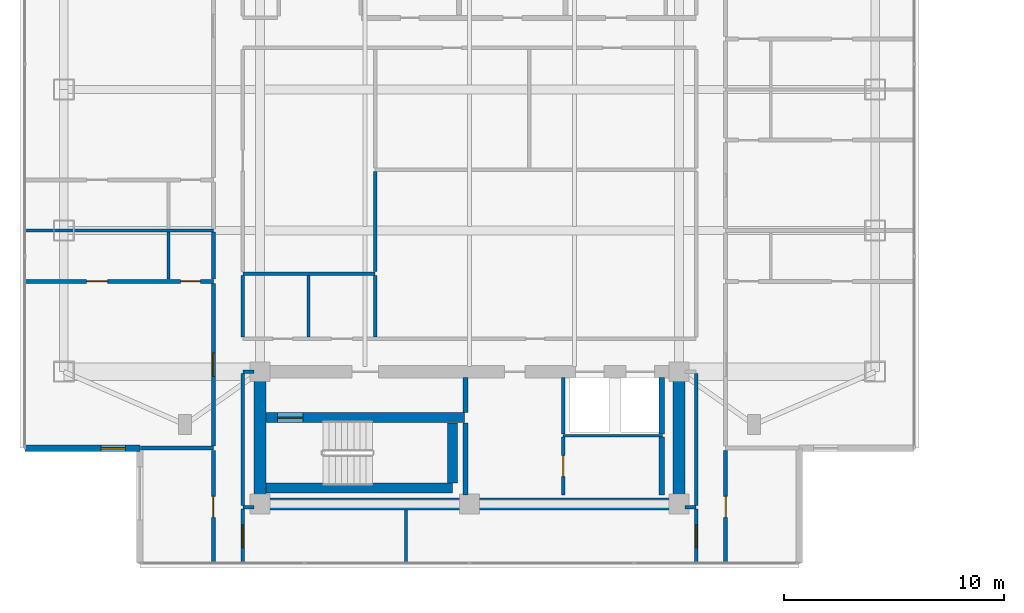
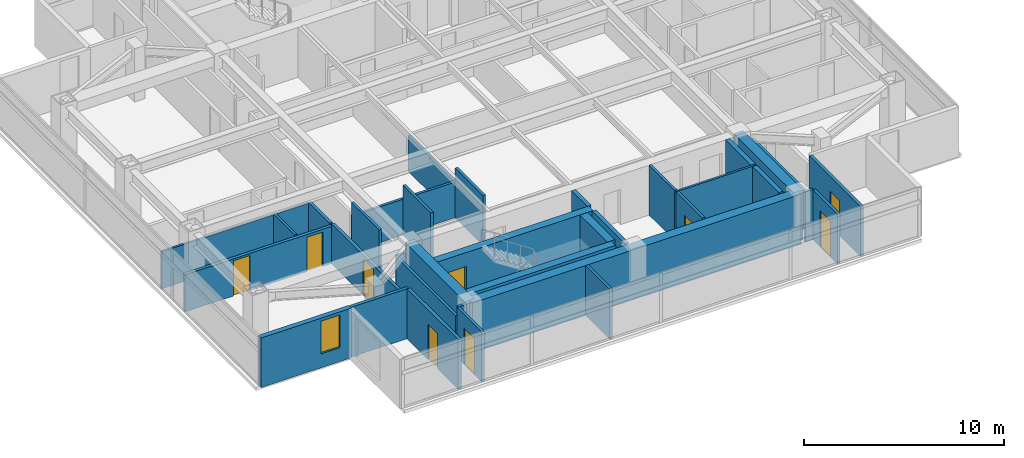
# One storey, part 12 of 24: 35 walls, 9 doors, 1 window, 10 openings.
"""IFC4 building model written with IfcOpenShell, lengths in metres."""

from ifc_helpers import new_model, si_unit, direction, frame, frame_2d, origin, place, context, subcontext, project, spatial, rectangle, extrude, material, layer, layer_set, type_object, element, fill, save


model = new_model("IFC4")

# Units and contexts
model_context = context("Model", 3, precision=1e-05, world=origin(), true_north=direction((0.0, 1.0)))
body_context = subcontext(model_context, "Body", "Model", "MODEL_VIEW")
ifc_project = project(units=[si_unit("LENGTHUNIT", "METRE"), si_unit("AREAUNIT", "SQUARE_METRE"), si_unit("VOLUMEUNIT", "CUBIC_METRE"), si_unit("PLANEANGLEUNIT", "RADIAN"), si_unit("MASSUNIT", "GRAM", prefix="KILO")], contexts=[model_context])

# Site, building, storey
site_placement = place(None, origin())
site = spatial("IfcSite", under=ifc_project, at=site_placement, CompositionType="ELEMENT")
building_placement = place(site_placement, origin())
building = spatial("IfcBuilding", under=site, at=building_placement, Name="Mirazonda Arch Towers", CompositionType="ELEMENT")
storey_placement = place(building_placement, frame((0.0, 0.0, 193.39990234375)))
storey = spatial("IfcBuildingStorey", under=building, at=storey_placement, Name="L55", CompositionType="ELEMENT", Elevation=193.39990234375)

# Wall
ifc_material_1 = material(Name="Concrete C50/60", Category="concrete")
ifc_layer_1 = layer(ifc_material_1, 0.449951171875, Name="WALL-CORE-450")
ifc_layer_set_1 = layer_set([ifc_layer_1], Name="Concrete C50/60")
wall_type_1 = type_object("IfcWallType", Name="WALL-CORE-450", PredefinedType="SHEAR", material=ifc_layer_set_1)
wall_1_placement = place(storey_placement, frame((11.27001953125, 13.1201171875, 0.0), z_axis=(0.0, 0.0, 1.0), x_axis=(1.0, 0.0, 0.0)))
element("IfcWall", 1, at=wall_1_placement, inside=storey, type_object=wall_type_1, Name="L55 Stair Core Shear Wall 003", PredefinedType="SHEAR", context=body_context, shape_type="SweptSolid", body=[
    extrude(rectangle(XDim=8.4599609375, YDim=0.449951171875, at=frame_2d((4.22998046875, 0.0))), origin(), (0.0, 0.0, 1.0), 3.050048828125),
])

# Wall, opening, door
wall_2_placement = place(storey_placement, frame((11.27001953125, 16.320068359375, 0.0), z_axis=(0.0, 0.0, 1.0), x_axis=(1.0, 0.0, 0.0)))
wall_2 = element("IfcWall", 2, at=wall_2_placement, inside=storey, type_object=wall_type_1, Name="L55 Stair Core Shear Wall 007", PredefinedType="SHEAR", context=body_context, shape_type="SweptSolid", body=[
    extrude(rectangle(XDim=9.010009765625, YDim=0.449951171875, at=frame_2d((4.5048828125, 0.0))), origin(), (0.0, 0.0, 1.0), 3.050048828125),
])
opening_1_placement = place(wall_2_placement, frame((0.52001953125, 0.0, 0.0)))
opening_1 = element("IfcOpeningElement", 3, at=opening_1_placement, cuts=wall_2, Name="Opening DR-135", PredefinedType="OPENING", context=body_context, shape_type="SweptSolid", body=[
    extrude(rectangle(XDim=1.14990234375, YDim=2.199951171875, at=frame_2d((0.574951171875, 1.10009765625))), frame((0.0, 0.23486328125, 0.0), z_axis=(0.0, -1.0, 0.0), x_axis=(1.0, 0.0, 0.0)), (0.0, 0.0, 1.0), 0.469970703125),
])
ifc_material_2 = material(Name="Architectural Brushed Steel S355", Category="steel")
door_type_1 = type_object("IfcDoorType", Name="DOOR-STAIR-FD90-1150", OperationType="NOTDEFINED", PredefinedType="DOOR", material=ifc_material_2)
door_1_placement = place(opening_1_placement, origin())
door_1 = element("IfcDoor", 4, at=door_1_placement, inside=storey, type_object=door_type_1, Name="L55 Protected Exit Stair South Door", OperationType="SINGLE_SWING_LEFT", OverallHeight=2.199951171875, OverallWidth=1.14990234375, PredefinedType="DOOR", context=body_context, shape_type="SweptSolid", body=[
    extrude(rectangle(XDim=1.14990234375, YDim=2.199951171875, at=frame_2d((0.574951171875, 1.10009765625))), frame((0.0, 0.02490234375, 0.0), z_axis=(0.0, -1.0, 0.0), x_axis=(1.0, 0.0, 0.0)), (0.0, 0.0, 1.0), 0.050048828125),
])
fill(opening_1, door_1)

# Walls
wall_3_placement = place(storey_placement, frame((19.72998046875, 13.35498046875, 0.0), z_axis=(0.0, 0.0, 1.0), x_axis=(0.0, 1.0, 0.0)))
element("IfcWall", 5, at=wall_3_placement, inside=storey, type_object=wall_type_1, Name="L55 Stair Core Shear Wall 079", PredefinedType="SHEAR", context=body_context, shape_type="SweptSolid", body=[
    extrude(rectangle(XDim=2.72998046875, YDim=0.449951171875, at=frame_2d((1.364990234375, 0.0))), origin(), (0.0, 0.0, 1.0), 3.050048828125),
])
ifc_layer_2 = layer(ifc_material_1, 0.550048828125, Name="WALL-CORE-550")
ifc_layer_set_2 = layer_set([ifc_layer_2], Name="Concrete C50/60")
wall_type_2 = type_object("IfcWallType", Name="WALL-CORE-550", PredefinedType="SHEAR", material=ifc_layer_set_2)
wall_4_placement = place(storey_placement, frame((11.0, 12.39990234375, 0.0), z_axis=(0.0, 0.0, 1.0), x_axis=(1.0, 0.0, 0.0)))
element("IfcWall", 6, at=wall_4_placement, inside=storey, type_object=wall_type_2, Name="L55 T1S-S Core Shear Wall", PredefinedType="SHEAR", context=body_context, shape_type="SweptSolid", body=[
    extrude(rectangle(XDim=19.0, YDim=0.550048828125, at=frame_2d((9.5, 0.0))), origin(), (0.0, 0.0, 1.0), 3.050048828125),
])
for number, where, z_axis, x_axis, name in (
    (7, (11.0, 12.39990234375, 0.0), (0.0, 0.0, 1.0), (0.0, 1.0, 0.0), "L55 T1S-W Core Shear Wall"),
    (8, (30.0, 12.39990234375, 0.0), (0.0, 0.0, 1.0), (0.0, 1.0, 0.0), "L55 T1S-E Core Shear Wall"),
):
    element("IfcWall", number, at=place(storey_placement, frame(where, z_axis=z_axis, x_axis=x_axis)), inside=storey, type_object=wall_type_2, Name=name, PredefinedType="SHEAR", context=body_context, shape_type="SweptSolid", body=[
        extrude(rectangle(XDim=6.0, YDim=0.550048828125, at=frame_2d((3.0, 0.0))), origin(), (0.0, 0.0, 1.0), 3.050048828125),
    ])

# Wall, opening, window
ifc_material_3 = material(Name="Precast Concrete C40/50", Category="concrete")
ifc_layer_3 = layer(ifc_material_3, 0.280029296875, Name="WALL-EXT-WALL-280")
ifc_layer_set_3 = layer_set([ifc_layer_3], Name="Precast Concrete C40/50")
wall_type_3 = type_object("IfcWallType", Name="WALL-EXT-WALL-280", PredefinedType="SOLIDWALL", material=ifc_layer_set_3)
wall_5_placement = place(storey_placement, frame((0.330078125, 14.930908203125, 0.0), z_axis=(0.0, 0.0, 1.0), x_axis=(1.0, 0.0, 0.0)))
wall_5 = element("IfcWall", 9, at=wall_5_placement, inside=storey, type_object=wall_type_3, Name="L55 T1 Corner Notch Return Wall WL-L55-T1-CSW2", PredefinedType="SOLIDWALL", context=body_context, shape_type="SweptSolid", body=[
    extrude(rectangle(XDim=5.21484375, YDim=0.280029296875, at=frame_2d((2.607421875, 0.0))), origin(), (0.0, 0.0, 1.0), 3.030029296875),
])
opening_2_placement = place(wall_5_placement, frame((3.465087890625, 0.0, 0.85009765625)))
opening_2 = element("IfcOpeningElement", 10, at=opening_2_placement, cuts=wall_5, Name="Opening WN-108", PredefinedType="OPENING", context=body_context, shape_type="SweptSolid", body=[
    extrude(rectangle(XDim=1.10009765625, YDim=2.0, at=frame_2d((0.550048828125, 1.0))), frame((0.0, 0.14990234375, 0.0), z_axis=(0.0, -1.0, 0.0), x_axis=(1.0, 0.0, 0.0)), (0.0, 0.0, 1.0), 0.300048828125),
])
ifc_material_4 = material(Name="Insulated Low-E Solar Glass", Category="glass")
window_type = type_object("IfcWindowType", Name="WIN-NOTCH-1100x2000", PartitioningType="SINGLE_PANEL", PredefinedType="WINDOW", material=ifc_material_4)
window_placement = place(opening_2_placement, origin())
window = element("IfcWindow", 11, at=window_placement, inside=storey, type_object=window_type, Name="L55 Punched Facade Window WN-L55-T1-CSW2", OverallHeight=2.0, OverallWidth=1.10009765625, PartitioningType="SINGLE_PANEL", PredefinedType="WINDOW", context=body_context, shape_type="SweptSolid", body=[
    extrude(rectangle(XDim=1.10009765625, YDim=2.0, at=frame_2d((0.550048828125, 1.0))), frame((0.0, 0.030029296875, 0.0), z_axis=(0.0, -1.0, 0.0), x_axis=(1.0, 0.0, 0.0)), (0.0, 0.0, 1.0), 0.06005859375),
])
fill(opening_2, window)

# Walls
ifc_material_5 = material(Name="Concrete C40/50", Category="concrete")
ifc_layer_4 = layer(ifc_material_5, 0.219970703125, Name="WALL-FFL-220")
ifc_layer_set_4 = layer_set([ifc_layer_4], Name="Concrete C40/50")
wall_type_4 = type_object("IfcWallType", Name="WALL-FFL-220", PredefinedType="SOLIDWALL", material=ifc_layer_set_4)
wall_6_placement = place(storey_placement, frame((20.31494140625, 12.800048828125, 0.0), z_axis=(0.0, 0.0, 1.0), x_axis=(0.0, 1.0, 0.0)))
element("IfcWall", 12, at=wall_6_placement, inside=storey, type_object=wall_type_4, Name="L55 Interior Partition 081", PredefinedType="SOLIDWALL", context=body_context, shape_type="SweptSolid", body=[
    extrude(rectangle(XDim=3.284912109375, YDim=0.219970703125, at=frame_2d((1.642578125, 0.0))), origin(), (0.0, 0.0, 1.0), 3.050048828125),
])
wall_7_placement = place(storey_placement, frame((20.31494140625, 16.554931640625, 0.0), z_axis=(0.0, 0.0, 1.0), x_axis=(0.0, 1.0, 0.0)))
element("IfcWall", 13, at=wall_7_placement, inside=storey, type_object=wall_type_4, Name="L55 Interior Partition 082", PredefinedType="SOLIDWALL", context=body_context, shape_type="SweptSolid", body=[
    extrude(rectangle(XDim=1.574951171875, YDim=0.219970703125, at=frame_2d((0.78759765625, 0.0))), origin(), (0.0, 0.0, 1.0), 3.050048828125),
])
ifc_material_6 = material(Name="Fire-Rated Gypsum Stud Partition")
ifc_layer_5 = layer(ifc_material_6, 0.14990234375, Name="WALL-PART-CORR-150")
ifc_layer_set_5 = layer_set([ifc_layer_5], Name="Fire-Rated Gypsum Stud Partition")
wall_type_5 = type_object("IfcWallType", Name="WALL-PART-CORR-150", PredefinedType="PARTITIONING", material=ifc_layer_set_5)
for number, where, z_axis, x_axis, name in (
    (14, (10.219970703125, 12.25, 0.0), (0.0, 0.0, 1.0), (1.0, 0.0, 0.0), "L55 Interior Partition 001"),
    (15, (30.27001953125, 12.25, 0.0), (0.0, 0.0, 1.0), (1.0, 0.0, 0.0), "L55 Interior Partition 002"),
):
    element("IfcWall", number, at=place(storey_placement, frame(where, z_axis=z_axis, x_axis=x_axis)), inside=storey, type_object=wall_type_5, Name=name, PredefinedType="PARTITIONING", context=body_context, shape_type="SweptSolid", body=[
        extrude(rectangle(XDim=0.510009765625, YDim=0.14990234375, at=frame_2d((0.2548828125, 0.0))), origin(), (0.0, 0.0, 1.0), 3.050048828125),
    ])
wall_8_placement = place(storey_placement, frame((10.219970703125, 18.39990234375, 0.0), z_axis=(0.0, 0.0, 1.0), x_axis=(1.0, 0.0, 0.0)))
element("IfcWall", 16, at=wall_8_placement, inside=storey, type_object=wall_type_5, Name="L55 Interior Partition 011", PredefinedType="PARTITIONING", context=body_context, shape_type="SweptSolid", body=[
    extrude(rectangle(XDim=0.510009765625, YDim=0.14990234375, at=frame_2d((0.2548828125, 0.0))), origin(), (0.0, 0.0, 1.0), 2.442138671875),
])
wall_9_placement = place(storey_placement, frame((10.219970703125, 22.85009765625, 0.0), z_axis=(0.0, 0.0, 1.0), x_axis=(1.0, 0.0, 0.0)))
element("IfcWall", 17, at=wall_9_placement, inside=storey, type_object=wall_type_5, Name="L55 Interior Partition 023", PredefinedType="PARTITIONING", context=body_context, shape_type="SweptSolid", body=[
    extrude(rectangle(XDim=6.0, YDim=0.14990234375, at=frame_2d((3.0, 0.0))), origin(), (0.0, 0.0, 1.0), 2.18603515625),
])

# Wall, opening, door
wall_10_placement = place(storey_placement, frame((10.219970703125, 9.716064453125, 0.0), z_axis=(0.0, 0.0, 1.0), x_axis=(0.0, 1.0, 0.0)))
wall_10 = element("IfcWall", 18, at=wall_10_placement, inside=storey, type_object=wall_type_5, Name="L55 Interior Partition 066", PredefinedType="PARTITIONING", context=body_context, shape_type="SweptSolid", body=[
    extrude(rectangle(XDim=2.448974609375, YDim=0.14990234375, at=frame_2d((1.224609375, 0.0))), origin(), (0.0, 0.0, 1.0), 3.050048828125),
])
opening_3_placement = place(wall_10_placement, frame((0.699462890625, 0.0, 0.0)))
opening_3 = element("IfcOpeningElement", 19, at=opening_3_placement, cuts=wall_10, Name="Opening DR-121", PredefinedType="OPENING", context=body_context, shape_type="SweptSolid", body=[
    extrude(rectangle(XDim=1.050048828125, YDim=2.199951171875, at=frame_2d((0.52490234375, 1.10009765625))), frame((0.0, 0.0849609375, 0.0), z_axis=(0.0, -1.0, 0.0), x_axis=(1.0, 0.0, 0.0)), (0.0, 0.0, 1.0), 0.169921875),
])
door_type_2 = type_object("IfcDoorType", Name="DOOR-SUITE-FD60-1050", OperationType="NOTDEFINED", PredefinedType="DOOR", material=ifc_material_2)
door_2_placement = place(opening_3_placement, origin())
door_2 = element("IfcDoor", 20, at=door_2_placement, inside=storey, type_object=door_type_2, Name="L55 South Horizon Lounge Minor Door", OperationType="SINGLE_SWING_LEFT", OverallHeight=2.199951171875, OverallWidth=1.050048828125, PredefinedType="DOOR", context=body_context, shape_type="SweptSolid", body=[
    extrude(rectangle(XDim=1.050048828125, YDim=2.199951171875, at=frame_2d((0.52490234375, 1.10009765625))), frame((0.0, 0.02490234375, 0.0), z_axis=(0.0, -1.0, 0.0), x_axis=(1.0, 0.0, 0.0)), (0.0, 0.0, 1.0), 0.050048828125),
])
fill(opening_3, door_2)

# Walls
wall_11_placement = place(storey_placement, frame((10.219970703125, 12.3349609375, 0.0), z_axis=(0.0, 0.0, 1.0), x_axis=(0.0, 1.0, 0.0)))
element("IfcWall", 21, at=wall_11_placement, inside=storey, type_object=wall_type_5, Name="L55 Interior Partition 067", PredefinedType="PARTITIONING", context=body_context, shape_type="SweptSolid", body=[
    extrude(rectangle(XDim=5.97998046875, YDim=0.14990234375, at=frame_2d((2.989990234375, 0.0))), origin(), (0.0, 0.0, 1.0), 2.442138671875),
])
for number, where, z_axis, x_axis, name in (
    (22, (10.219970703125, 19.985107421875, 0.0), (0.0, 0.0, 1.0), (0.0, 1.0, 0.0), "L55 Interior Partition 068"),
    (23, (13.199951171875, 19.985107421875, 0.0), (0.0, 0.0, 1.0), (0.0, 1.0, 0.0), "L55 Interior Partition 073"),
    (24, (16.219970703125, 19.985107421875, 0.0), (0.0, 0.0, 1.0), (0.0, 1.0, 0.0), "L55 Interior Partition 075"),
):
    element("IfcWall", number, at=place(storey_placement, frame(where, z_axis=z_axis, x_axis=x_axis)), inside=storey, type_object=wall_type_5, Name=name, PredefinedType="PARTITIONING", context=body_context, shape_type="SweptSolid", body=[
        extrude(rectangle(XDim=2.77978515625, YDim=0.14990234375, at=frame_2d((1.389892578125, 0.0))), origin(), (0.0, 0.0, 1.0), 3.050048828125),
    ])
wall_12_placement = place(storey_placement, frame((16.219970703125, 22.93505859375, 0.0), z_axis=(0.0, 0.0, 1.0), x_axis=(0.0, 1.0, 0.0)))
element("IfcWall", 25, at=wall_12_placement, inside=storey, type_object=wall_type_5, Name="L55 Interior Partition 076", PredefinedType="PARTITIONING", context=body_context, shape_type="SweptSolid", body=[
    extrude(rectangle(XDim=4.535888671875, YDim=0.14990234375, at=frame_2d((2.26806640625, 0.0))), origin(), (0.0, 0.0, 1.0), 2.18603515625),
])
wall_13_placement = place(storey_placement, frame((17.6220703125, 9.716064453125, 0.0), z_axis=(0.0, 0.0, 1.0), x_axis=(0.0, 1.0, 0.0)))
element("IfcWall", 26, at=wall_13_placement, inside=storey, type_object=wall_type_5, Name="L55 Interior Partition 078", PredefinedType="PARTITIONING", context=body_context, shape_type="SweptSolid", body=[
    extrude(rectangle(XDim=2.413818359375, YDim=0.14990234375, at=frame_2d((1.20703125, 0.0))), origin(), (0.0, 0.0, 1.0), 3.050048828125),
])

# Wall, opening, door
wall_14_placement = place(storey_placement, frame((24.75, 12.800048828125, 0.0), z_axis=(0.0, 0.0, 1.0), x_axis=(0.0, 1.0, 0.0)))
wall_14 = element("IfcWall", 27, at=wall_14_placement, inside=storey, type_object=wall_type_5, Name="L55 Interior Partition 085", PredefinedType="PARTITIONING", context=body_context, shape_type="SweptSolid", body=[
    extrude(rectangle(XDim=2.62744140625, YDim=0.14990234375, at=frame_2d((1.313720703125, 0.0))), origin(), (0.0, 0.0, 1.0), 3.050048828125),
])
opening_4_placement = place(wall_14_placement, frame((0.838623046875, 0.0, 0.0)))
opening_4 = element("IfcOpeningElement", 28, at=opening_4_placement, cuts=wall_14, Name="Opening DR-104", PredefinedType="OPENING", context=body_context, shape_type="SweptSolid", body=[
    extrude(rectangle(XDim=0.949951171875, YDim=2.14990234375, at=frame_2d((0.47509765625, 1.074951171875))), frame((0.0, 0.0849609375, 0.0), z_axis=(0.0, -1.0, 0.0), x_axis=(1.0, 0.0, 0.0)), (0.0, 0.0, 1.0), 0.169921875),
])
door_type_3 = type_object("IfcDoorType", Name="DOOR-ROOM-950", OperationType="NOTDEFINED", PredefinedType="DOOR", material=ifc_material_2)
door_3_placement = place(opening_4_placement, origin())
door_3 = element("IfcDoor", 29, at=door_3_placement, inside=storey, type_object=door_type_3, Name="L55 Residents Private Archive Study Door", OperationType="SINGLE_SWING_LEFT", OverallHeight=2.14990234375, OverallWidth=0.949951171875, PredefinedType="DOOR", context=body_context, shape_type="SweptSolid", body=[
    extrude(rectangle(XDim=0.949951171875, YDim=2.14990234375, at=frame_2d((0.47509765625, 1.074951171875))), frame((0.0, 0.02490234375, 0.0), z_axis=(0.0, -1.0, 0.0), x_axis=(1.0, 0.0, 0.0)), (0.0, 0.0, 1.0), 0.050048828125),
])
fill(opening_4, door_3)

# Wall
wall_15_placement = place(storey_placement, frame((24.75, 15.572509765625, 0.0), z_axis=(0.0, 0.0, 1.0), x_axis=(0.0, 1.0, 0.0)))
element("IfcWall", 30, at=wall_15_placement, inside=storey, type_object=wall_type_5, Name="L55 Interior Partition 086", PredefinedType="PARTITIONING", context=body_context, shape_type="SweptSolid", body=[
    extrude(rectangle(XDim=2.557373046875, YDim=0.14990234375, at=frame_2d((1.27880859375, 0.0))), origin(), (0.0, 0.0, 1.0), 3.050048828125),
])

# Wall, opening, door
wall_16_placement = place(storey_placement, frame((30.780029296875, 9.716064453125, 0.0), z_axis=(0.0, 0.0, 1.0), x_axis=(0.0, 1.0, 0.0)))
wall_16 = element("IfcWall", 31, at=wall_16_placement, inside=storey, type_object=wall_type_5, Name="L55 Interior Partition 094", PredefinedType="PARTITIONING", context=body_context, shape_type="SweptSolid", body=[
    extrude(rectangle(XDim=2.448974609375, YDim=0.14990234375, at=frame_2d((1.224609375, 0.0))), origin(), (0.0, 0.0, 1.0), 3.050048828125),
])
opening_5_placement = place(wall_16_placement, frame((0.699462890625, 0.0, 0.0)))
opening_5 = element("IfcOpeningElement", 32, at=opening_5_placement, cuts=wall_16, Name="Opening DR-121", PredefinedType="OPENING", context=body_context, shape_type="SweptSolid", body=[
    extrude(rectangle(XDim=1.050048828125, YDim=2.199951171875, at=frame_2d((0.52490234375, 1.10009765625))), frame((0.0, 0.0849609375, 0.0), z_axis=(0.0, -1.0, 0.0), x_axis=(1.0, 0.0, 0.0)), (0.0, 0.0, 1.0), 0.169921875),
])
door_4_placement = place(opening_5_placement, origin())
door_4 = element("IfcDoor", 33, at=door_4_placement, inside=storey, type_object=door_type_2, Name="L55 South Horizon Lounge Grand Door", OperationType="SINGLE_SWING_RIGHT", OverallHeight=2.199951171875, OverallWidth=1.050048828125, PredefinedType="DOOR", context=body_context, shape_type="SweptSolid", body=[
    extrude(rectangle(XDim=1.050048828125, YDim=2.199951171875, at=frame_2d((0.52490234375, 1.10009765625))), frame((0.0, 0.02490234375, 0.0), z_axis=(0.0, -1.0, 0.0), x_axis=(1.0, 0.0, 0.0)), (0.0, 0.0, 1.0), 0.050048828125),
])
fill(opening_5, door_4)

# Walls
wall_17_placement = place(storey_placement, frame((30.780029296875, 12.3349609375, 0.0), z_axis=(0.0, 0.0, 1.0), x_axis=(0.0, 1.0, 0.0)))
element("IfcWall", 34, at=wall_17_placement, inside=storey, type_object=wall_type_5, Name="L55 Interior Partition 095", PredefinedType="PARTITIONING", context=body_context, shape_type="SweptSolid", body=[
    extrude(rectangle(XDim=5.97998046875, YDim=0.14990234375, at=frame_2d((2.989990234375, 0.0))), origin(), (0.0, 0.0, 1.0), 2.442138671875),
])
ifc_material_7 = material(Name="Fire-Rated Gypsum Twin-Stud Assembly")
ifc_layer_6 = layer(ifc_material_7, 0.179931640625, Name="WALL-PART-DEMISE-180")
ifc_layer_set_6 = layer_set([ifc_layer_6], Name="Fire-Rated Gypsum Twin-Stud Assembly")
wall_type_6 = type_object("IfcWallType", Name="WALL-PART-DEMISE-180", PredefinedType="PARTITIONING", material=ifc_layer_set_6)
wall_18_placement = place(storey_placement, frame((5.56494140625, 14.930908203125, 0.0), z_axis=(0.0, 0.0, 1.0), x_axis=(1.0, 0.0, 0.0)))
element("IfcWall", 35, at=wall_18_placement, inside=storey, type_object=wall_type_6, Name="L55 Interior Partition 004", PredefinedType="PARTITIONING", context=body_context, shape_type="SweptSolid", body=[
    extrude(rectangle(XDim=3.31494140625, YDim=0.179931640625, at=frame_2d((1.657470703125, 0.0))), origin(), (0.0, 0.0, 1.0), 3.050048828125),
])

# Wall, openings, doors
wall_19_placement = place(storey_placement, frame((0.330078125, 22.5, 0.0), z_axis=(0.0, 0.0, 1.0), x_axis=(1.0, 0.0, 0.0)))
wall_19 = element("IfcWall", 36, at=wall_19_placement, inside=storey, type_object=wall_type_6, Name="L55 Interior Partition 019", PredefinedType="PARTITIONING", context=body_context, shape_type="SweptSolid", body=[
    extrude(rectangle(XDim=8.5498046875, YDim=0.179931640625, at=frame_2d((4.27490234375, 0.0))), origin(), (0.0, 0.0, 1.0), 2.26904296875),
])
opening_6_placement = place(wall_19_placement, frame((2.800048828125, 0.0, 0.0)))
opening_6 = element("IfcOpeningElement", 37, at=opening_6_placement, cuts=wall_19, Name="Opening DR-104", PredefinedType="OPENING", context=body_context, shape_type="SweptSolid", body=[
    extrude(rectangle(XDim=0.949951171875, YDim=2.14990234375, at=frame_2d((0.47509765625, 1.074951171875))), frame((0.0, 0.099853515625, 0.0), z_axis=(0.0, -1.0, 0.0), x_axis=(1.0, 0.0, 0.0)), (0.0, 0.0, 1.0), 0.199951171875),
])
opening_7_placement = place(wall_19_placement, frame((7.06005859375, 0.0, 0.0)))
opening_7 = element("IfcOpeningElement", 38, at=opening_7_placement, cuts=wall_19, Name="Opening DR-120", PredefinedType="OPENING", context=body_context, shape_type="SweptSolid", body=[
    extrude(rectangle(XDim=0.89990234375, YDim=2.10009765625, at=frame_2d((0.449951171875, 1.050048828125))), frame((0.0, 0.099853515625, 0.0), z_axis=(0.0, -1.0, 0.0), x_axis=(1.0, 0.0, 0.0)), (0.0, 0.0, 1.0), 0.199951171875),
])
door_5_placement = place(opening_6_placement, origin())
door_5 = element("IfcDoor", 39, at=door_5_placement, inside=storey, type_object=door_type_3, Name="L55 Guestroom Study 1 Door", OperationType="SINGLE_SWING_RIGHT", OverallHeight=2.14990234375, OverallWidth=0.949951171875, PredefinedType="DOOR", context=body_context, shape_type="SweptSolid", body=[
    extrude(rectangle(XDim=0.949951171875, YDim=2.14990234375, at=frame_2d((0.47509765625, 1.074951171875))), frame((0.0, 0.02490234375, 0.0), z_axis=(0.0, -1.0, 0.0), x_axis=(1.0, 0.0, 0.0)), (0.0, 0.0, 1.0), 0.050048828125),
])
fill(opening_6, door_5)
door_type_4 = type_object("IfcDoorType", Name="DOOR-WC-900", OperationType="NOTDEFINED", PredefinedType="DOOR", material=ifc_material_2)
door_6_placement = place(opening_7_placement, origin())
door_6 = element("IfcDoor", 40, at=door_6_placement, inside=storey, type_object=door_type_4, Name="L55 En-Suite Bathroom 1 Door", OperationType="SINGLE_SWING_LEFT", OverallHeight=2.10009765625, OverallWidth=0.89990234375, PredefinedType="DOOR", context=body_context, shape_type="SweptSolid", body=[
    extrude(rectangle(XDim=0.89990234375, YDim=2.10009765625, at=frame_2d((0.449951171875, 1.050048828125))), frame((0.0, 0.02490234375, 0.0), z_axis=(0.0, -1.0, 0.0), x_axis=(1.0, 0.0, 0.0)), (0.0, 0.0, 1.0), 0.050048828125),
])
fill(opening_7, door_6)

# Wall, opening, door
wall_20_placement = place(storey_placement, frame((8.8798828125, 9.716064453125, 0.0), z_axis=(0.0, 0.0, 1.0), x_axis=(0.0, 1.0, 0.0)))
wall_20 = element("IfcWall", 41, at=wall_20_placement, inside=storey, type_object=wall_type_6, Name="L55 Interior Partition 060", PredefinedType="PARTITIONING", context=body_context, shape_type="SweptSolid", body=[
    extrude(rectangle(XDim=5.114990234375, YDim=0.179931640625, at=frame_2d((2.5576171875, 0.0))), origin(), (0.0, 0.0, 1.0), 3.050048828125),
])
opening_8_placement = place(wall_20_placement, frame((2.08251953125, 0.0, 0.0)))
opening_8 = element("IfcOpeningElement", 42, at=opening_8_placement, cuts=wall_20, Name="Opening DR-104", PredefinedType="OPENING", context=body_context, shape_type="SweptSolid", body=[
    extrude(rectangle(XDim=0.949951171875, YDim=2.14990234375, at=frame_2d((0.47509765625, 1.074951171875))), frame((0.0, 0.099853515625, 0.0), z_axis=(0.0, -1.0, 0.0), x_axis=(1.0, 0.0, 0.0)), (0.0, 0.0, 1.0), 0.199951171875),
])
door_7_placement = place(opening_8_placement, origin())
door_7 = element("IfcDoor", 43, at=door_7_placement, inside=storey, type_object=door_type_3, Name="L55 South Horizon Lounge Alcove West Door", OperationType="SINGLE_SWING_LEFT", OverallHeight=2.14990234375, OverallWidth=0.949951171875, PredefinedType="DOOR", context=body_context, shape_type="SweptSolid", body=[
    extrude(rectangle(XDim=0.949951171875, YDim=2.14990234375, at=frame_2d((0.47509765625, 1.074951171875))), frame((0.0, 0.02490234375, 0.0), z_axis=(0.0, -1.0, 0.0), x_axis=(1.0, 0.0, 0.0)), (0.0, 0.0, 1.0), 0.050048828125),
])
fill(opening_8, door_7)

wall_21_placement = place(storey_placement, frame((8.8798828125, 15.031005859375, 0.0), z_axis=(0.0, 0.0, 1.0), x_axis=(0.0, 1.0, 0.0)))
wall_21 = element("IfcWall", 44, at=wall_21_placement, inside=storey, type_object=wall_type_6, Name="L55 Interior Partition 061", PredefinedType="PARTITIONING", context=body_context, shape_type="SweptSolid", body=[
    extrude(rectangle(XDim=7.368896484375, YDim=0.179931640625, at=frame_2d((3.6845703125, 0.0))), origin(), (0.0, 0.0, 1.0), 2.442138671875),
])
opening_9_placement = place(wall_21_placement, frame((3.159423828125, 0.0, 0.0)))
opening_9 = element("IfcOpeningElement", 45, at=opening_9_placement, cuts=wall_21, Name="Opening DR-121", PredefinedType="OPENING", context=body_context, shape_type="SweptSolid", body=[
    extrude(rectangle(XDim=1.050048828125, YDim=2.199951171875, at=frame_2d((0.52490234375, 1.10009765625))), frame((0.0, 0.099853515625, 0.0), z_axis=(0.0, -1.0, 0.0), x_axis=(1.0, 0.0, 0.0)), (0.0, 0.0, 1.0), 0.199951171875),
])
door_8_placement = place(opening_9_placement, origin())
door_8 = element("IfcDoor", 46, at=door_8_placement, inside=storey, type_object=door_type_2, Name="L55 King Hotel Guestroom 1 Door", OperationType="SINGLE_SWING_LEFT", OverallHeight=2.199951171875, OverallWidth=1.050048828125, PredefinedType="DOOR", context=body_context, shape_type="SweptSolid", body=[
    extrude(rectangle(XDim=1.050048828125, YDim=2.199951171875, at=frame_2d((0.52490234375, 1.10009765625))), frame((0.0, 0.02490234375, 0.0), z_axis=(0.0, -1.0, 0.0), x_axis=(1.0, 0.0, 0.0)), (0.0, 0.0, 1.0), 0.050048828125),
])
fill(opening_9, door_8)

# Wall
wall_22_placement = place(storey_placement, frame((8.8798828125, 22.60009765625, 0.0), z_axis=(0.0, 0.0, 1.0), x_axis=(0.0, 1.0, 0.0)))
element("IfcWall", 47, at=wall_22_placement, inside=storey, type_object=wall_type_6, Name="L55 Interior Partition 062", PredefinedType="PARTITIONING", context=body_context, shape_type="SweptSolid", body=[
    extrude(rectangle(XDim=2.12744140625, YDim=0.179931640625, at=frame_2d((1.063720703125, 0.0))), origin(), (0.0, 0.0, 1.0), 2.34619140625),
])

# Wall, opening, door
wall_23_placement = place(storey_placement, frame((32.1201171875, 9.716064453125, 0.0), z_axis=(0.0, 0.0, 1.0), x_axis=(0.0, 1.0, 0.0)))
wall_23 = element("IfcWall", 48, at=wall_23_placement, inside=storey, type_object=wall_type_6, Name="L55 Interior Partition 100", PredefinedType="PARTITIONING", context=body_context, shape_type="SweptSolid", body=[
    extrude(rectangle(XDim=5.114990234375, YDim=0.179931640625, at=frame_2d((2.5576171875, 0.0))), origin(), (0.0, 0.0, 1.0), 3.050048828125),
])
opening_10_placement = place(wall_23_placement, frame((2.08251953125, 0.0, 0.0)))
opening_10 = element("IfcOpeningElement", 49, at=opening_10_placement, cuts=wall_23, Name="Opening DR-104", PredefinedType="OPENING", context=body_context, shape_type="SweptSolid", body=[
    extrude(rectangle(XDim=0.949951171875, YDim=2.14990234375, at=frame_2d((0.47509765625, 1.074951171875))), frame((0.0, 0.099853515625, 0.0), z_axis=(0.0, -1.0, 0.0), x_axis=(1.0, 0.0, 0.0)), (0.0, 0.0, 1.0), 0.199951171875),
])
door_9_placement = place(opening_10_placement, origin())
door_9 = element("IfcDoor", 50, at=door_9_placement, inside=storey, type_object=door_type_3, Name="L55 South Horizon Lounge Alcove East Door", OperationType="SINGLE_SWING_RIGHT", OverallHeight=2.14990234375, OverallWidth=0.949951171875, PredefinedType="DOOR", context=body_context, shape_type="SweptSolid", body=[
    extrude(rectangle(XDim=0.949951171875, YDim=2.14990234375, at=frame_2d((0.47509765625, 1.074951171875))), frame((0.0, 0.02490234375, 0.0), z_axis=(0.0, -1.0, 0.0), x_axis=(1.0, 0.0, 0.0)), (0.0, 0.0, 1.0), 0.050048828125),
])
fill(opening_10, door_9)

# Walls
ifc_material_8 = material(Name="Acoustic Fire-Rated Gypsum Partition")
ifc_layer_7 = layer(ifc_material_8, 0.125, Name="WALL-PART-UNIT-125")
ifc_layer_set_7 = layer_set([ifc_layer_7], Name="Acoustic Fire-Rated Gypsum Partition")
wall_type_7 = type_object("IfcWallType", Name="WALL-PART-UNIT-125", PredefinedType="PARTITIONING", material=ifc_layer_set_7)
wall_24_placement = place(storey_placement, frame((24.75, 15.5, 0.0), z_axis=(0.0, 0.0, 1.0), x_axis=(1.0, 0.0, 0.0)))
element("IfcWall", 51, at=wall_24_placement, inside=storey, type_object=wall_type_7, Name="L55 Interior Partition 006", PredefinedType="PARTITIONING", context=body_context, shape_type="SweptSolid", body=[
    extrude(rectangle(XDim=4.5, YDim=0.125, at=frame_2d((2.25, 0.0))), origin(), (0.0, 0.0, 1.0), 3.050048828125),
])
wall_25_placement = place(storey_placement, frame((0.330078125, 24.800048828125, 0.0), z_axis=(0.0, 0.0, 1.0), x_axis=(1.0, 0.0, 0.0)))
element("IfcWall", 52, at=wall_25_placement, inside=storey, type_object=wall_type_7, Name="L55 Interior Partition 025", PredefinedType="PARTITIONING", context=body_context, shape_type="SweptSolid", body=[
    extrude(rectangle(XDim=8.5498046875, YDim=0.125, at=frame_2d((4.27490234375, 0.0))), origin(), (0.0, 0.0, 1.0), 2.26904296875),
])
wall_26_placement = place(storey_placement, frame((6.840087890625, 22.60009765625, 0.0), z_axis=(0.0, 0.0, 1.0), x_axis=(0.0, 1.0, 0.0)))
element("IfcWall", 53, at=wall_26_placement, inside=storey, type_object=wall_type_7, Name="L55 Interior Partition 058", PredefinedType="PARTITIONING", context=body_context, shape_type="SweptSolid", body=[
    extrude(rectangle(XDim=2.12744140625, YDim=0.125, at=frame_2d((1.063720703125, 0.0))), origin(), (0.0, 0.0, 1.0), 2.34619140625),
])
ifc_layer_8 = layer(ifc_material_5, 0.25, Name="WALL-SHAFT-250")
ifc_layer_set_8 = layer_set([ifc_layer_8], Name="Concrete C40/50")
wall_type_8 = type_object("IfcWallType", Name="WALL-SHAFT-250", PredefinedType="SOLIDWALL", material=ifc_layer_set_8)
wall_27_placement = place(storey_placement, frame((29.22509765625, 12.800048828125, 0.0), z_axis=(0.0, 0.0, 1.0), x_axis=(0.0, 1.0, 0.0)))
element("IfcWall", 54, at=wall_27_placement, inside=storey, type_object=wall_type_8, Name="L55 Interior Partition 090", PredefinedType="SOLIDWALL", context=body_context, shape_type="SweptSolid", body=[
    extrude(rectangle(XDim=2.62744140625, YDim=0.25, at=frame_2d((1.313720703125, 0.0))), origin(), (0.0, 0.0, 1.0), 3.050048828125),
])
wall_28_placement = place(storey_placement, frame((29.22509765625, 15.572509765625, 0.0), z_axis=(0.0, 0.0, 1.0), x_axis=(0.0, 1.0, 0.0)))
element("IfcWall", 55, at=wall_28_placement, inside=storey, type_object=wall_type_8, Name="L55 Interior Partition 091", PredefinedType="SOLIDWALL", context=body_context, shape_type="SweptSolid", body=[
    extrude(rectangle(XDim=2.557373046875, YDim=0.25, at=frame_2d((1.27880859375, 0.0))), origin(), (0.0, 0.0, 1.0), 3.050048828125),
])

save(model, "model.ifc")
